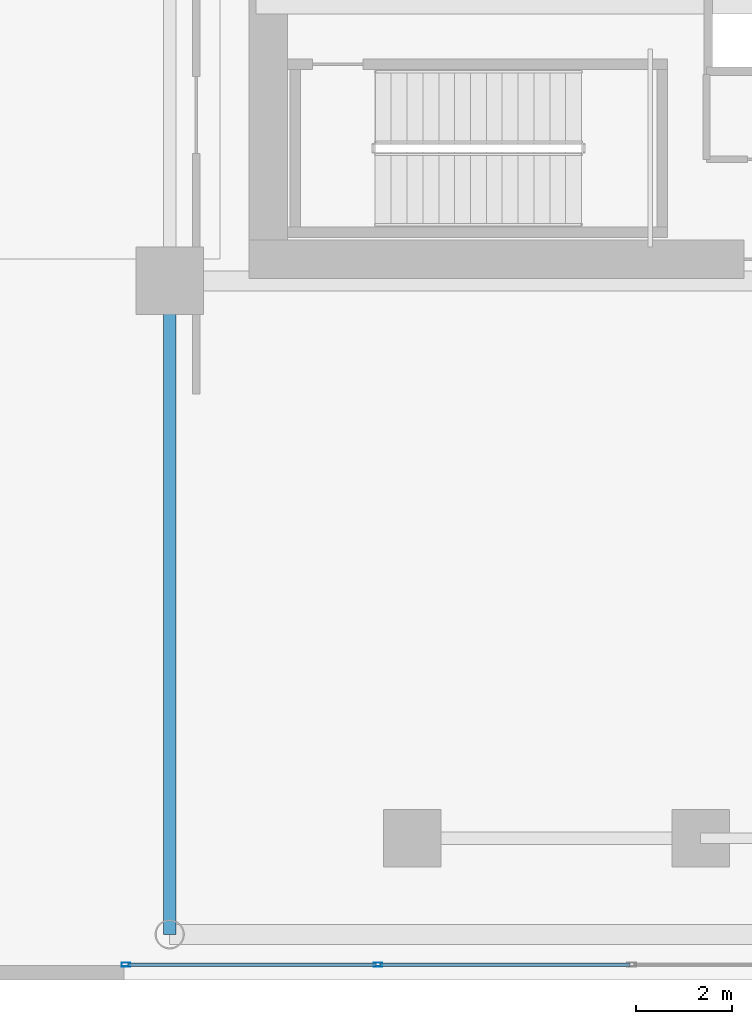
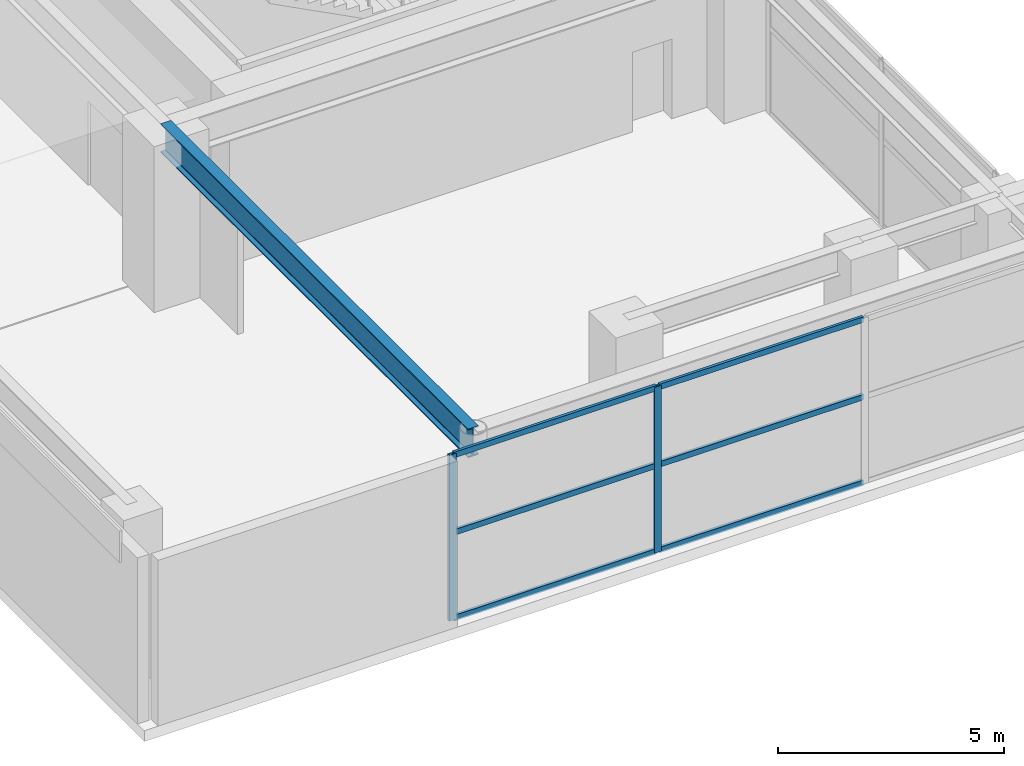
# One storey, part 3 of 30: 8 members, 1 beam, 1 element without a shape of its own.
"""IFC4 building model written with IfcOpenShell, lengths in metres."""

from ifc_helpers import new_model, si_unit, direction, frame, origin, origin_2d, place, context, subcontext, project, spatial, hollow_rectangle, i_section, extrude, source, transform, mapped, material, layer, layer_set, material_profile, profile_set, type_object, element, aggregate, save


model = new_model("IFC4")

# Units and contexts
model_context = context("Model", 3, precision=1e-05, world=origin(), true_north=direction((0.0, 1.0)))
body_context = subcontext(model_context, "Body", "Model", "MODEL_VIEW")
ifc_project = project(units=[si_unit("LENGTHUNIT", "METRE"), si_unit("AREAUNIT", "SQUARE_METRE"), si_unit("VOLUMEUNIT", "CUBIC_METRE"), si_unit("PLANEANGLEUNIT", "RADIAN"), si_unit("MASSUNIT", "GRAM", prefix="KILO")], contexts=[model_context])

# Site, building, storey
site_placement = place(None, origin())
site = spatial("IfcSite", under=ifc_project, at=site_placement, CompositionType="ELEMENT")
building_placement = place(site_placement, origin())
building = spatial("IfcBuilding", under=site, at=building_placement, Name="Ocotamira Hotel", CompositionType="ELEMENT")
storey_placement = place(building_placement, frame((0.0, 0.0, 19.199951171875)))
storey = spatial("IfcBuildingStorey", under=building, at=storey_placement, Name="L04", CompositionType="ELEMENT", Elevation=19.199951171875)

# Beam
ifc_material_1 = material(Name="Steel ASTM A992 Grade 50", Category="steel")
ifc_material_profile_1 = material_profile(ifc_material_1, i_section(OverallWidth=0.26611328125, OverallDepth=0.779052734375, WebThickness=0.0166015625, FlangeThickness=0.030029296875, FilletRadius=0.01806640625, at=origin_2d()), Name="W30X148")
ifc_profile_set_1 = profile_set([ifc_material_profile_1], Name="Steel ASTM A992 Grade 50")
beam_type = type_object("IfcBeamType", Name="BM-GIRD-W30X148", PredefinedType="BEAM", material=ifc_profile_set_1)
shared_shape_1 = source(origin(), body_context, "Body", "SweptSolid", [
    extrude(i_section(OverallWidth=0.26611328125, OverallDepth=0.779052734375, WebThickness=0.0166015625, FlangeThickness=0.030029296875, FilletRadius=0.01806640625, at=origin_2d()), origin(), (0.0, 0.0, 1.0), 13.60009765625),
])
beam_placement = place(storey_placement, frame((8.949951171875, 0.949951171875, 4.090576171875), z_axis=(0.0, 1.0, 0.0), x_axis=(-1.0, 0.0, 0.0)))
element("IfcBeam", 1, at=beam_placement, inside=storey, type_object=beam_type, Name="L04 Beam X8.95 Y0.95-14.55", PredefinedType="BEAM", context=body_context, shape_type="MappedRepresentation", body=[
    mapped(shared_shape_1, transform((0.0, 0.0, 0.0), scale=1.0)),
])

# Curtain wall, members
ifc_material_2 = material(Name="Anodised pale-metal aluminium and solar glass", Category="aluminium")
ifc_layer = layer(ifc_material_2, 0.219970703125)
ifc_layer_set = layer_set([ifc_layer], Name="Anodised pale-metal aluminium and solar glass")
curtain_wall_type = type_object("IfcCurtainWallType", Name="CW-SYS1-POD", PredefinedType="NOTDEFINED", material=ifc_layer_set)
curtain_wall_placement = place(storey_placement, origin())
curtain_wall = element("IfcCurtainWall", 2, at=curtain_wall_placement, inside=storey, type_object=curtain_wall_type, Name="L04 Curtain Wall CW-1 CW-L04-SW", PredefinedType="NOTDEFINED")
ifc_material_3 = material(Name="Anodised pale-metal aluminium 6063-T6", Category="aluminium")
ifc_material_profile_2 = material_profile(ifc_material_3, hollow_rectangle(XDim=0.074951171875, YDim=0.14990234375, WallThickness=0.006103515625, at=origin_2d()), Name="HSS150X75X6")
ifc_profile_set_2 = profile_set([ifc_material_profile_2], Name="Anodised pale-metal aluminium 6063-T6")
member_type_1 = type_object("IfcMemberType", Name="CWT-150X75", PredefinedType="USERDEFINED", material=ifc_profile_set_2)
shared_shape_2 = source(origin(), body_context, "Body", "SweptSolid", [
    extrude(hollow_rectangle(XDim=0.074951171875, YDim=0.14990234375, WallThickness=0.006103515625, at=origin_2d()), origin(), (0.0, 0.0, 1.0), 5.163330078125),
])
member_1_placement = place(storey_placement, frame((8.080078125, 0.320068359375, 0.03759765625), z_axis=(1.0, 0.0, 0.0), x_axis=(0.0, 1.0, 0.0)))
member_1 = element("IfcMember", 3, at=member_1_placement, type_object=member_type_1, Name="CW-1 transom 1.1", ObjectType="TRANSOM", PredefinedType="USERDEFINED", context=body_context, shape_type="MappedRepresentation", body=[
    mapped(shared_shape_2, transform((0.0, 0.0, 0.0), scale=1.0)),
])
member_2_placement = place(storey_placement, frame((8.080078125, 0.320068359375, 2.35009765625), z_axis=(1.0, 0.0, 0.0), x_axis=(0.0, 1.0, 0.0)))
member_2 = element("IfcMember", 4, at=member_2_placement, type_object=member_type_1, Name="CW-1 transom 1.2", ObjectType="TRANSOM", PredefinedType="USERDEFINED", context=body_context, shape_type="MappedRepresentation", body=[
    mapped(shared_shape_2, transform((0.0, 0.0, 0.0), scale=1.0)),
])
member_3_placement = place(storey_placement, frame((8.080078125, 0.320068359375, 4.442626953125), z_axis=(1.0, 0.0, 0.0), x_axis=(0.0, 1.0, 0.0)))
member_3 = element("IfcMember", 5, at=member_3_placement, type_object=member_type_1, Name="CW-1 transom 1.3", ObjectType="TRANSOM", PredefinedType="USERDEFINED", context=body_context, shape_type="MappedRepresentation", body=[
    mapped(shared_shape_2, transform((0.0, 0.0, 0.0), scale=1.0)),
])
shared_shape_3 = source(origin(), body_context, "Body", "SweptSolid", [
    extrude(hollow_rectangle(XDim=0.074951171875, YDim=0.14990234375, WallThickness=0.006103515625, at=origin_2d()), origin(), (0.0, 0.0, 1.0), 5.203369140625),
])
member_4_placement = place(storey_placement, frame((13.3232421875, 0.320068359375, 0.03759765625), z_axis=(1.0, 0.0, 0.0), x_axis=(0.0, 1.0, 0.0)))
member_4 = element("IfcMember", 6, at=member_4_placement, type_object=member_type_1, Name="CW-1 transom 2.1", ObjectType="TRANSOM", PredefinedType="USERDEFINED", context=body_context, shape_type="MappedRepresentation", body=[
    mapped(shared_shape_3, transform((0.0, 0.0, 0.0), scale=1.0)),
])
member_5_placement = place(storey_placement, frame((13.3232421875, 0.320068359375, 2.35009765625), z_axis=(1.0, 0.0, 0.0), x_axis=(0.0, 1.0, 0.0)))
member_5 = element("IfcMember", 7, at=member_5_placement, type_object=member_type_1, Name="CW-1 transom 2.2", ObjectType="TRANSOM", PredefinedType="USERDEFINED", context=body_context, shape_type="MappedRepresentation", body=[
    mapped(shared_shape_3, transform((0.0, 0.0, 0.0), scale=1.0)),
])
member_6_placement = place(storey_placement, frame((13.3232421875, 0.320068359375, 4.442626953125), z_axis=(1.0, 0.0, 0.0), x_axis=(0.0, 1.0, 0.0)))
member_6 = element("IfcMember", 8, at=member_6_placement, type_object=member_type_1, Name="CW-1 transom 2.3", ObjectType="TRANSOM", PredefinedType="USERDEFINED", context=body_context, shape_type="MappedRepresentation", body=[
    mapped(shared_shape_3, transform((0.0, 0.0, 0.0), scale=1.0)),
])
ifc_material_profile_3 = material_profile(ifc_material_3, hollow_rectangle(XDim=0.080078125, YDim=0.179931640625, WallThickness=0.006103515625, at=origin_2d()), Name="HSS180X80X6")
ifc_profile_set_3 = profile_set([ifc_material_profile_3], Name="Anodised pale-metal aluminium 6063-T6")
member_type_2 = type_object("IfcMemberType", Name="CWM-180X75", PredefinedType="MULLION", material=ifc_profile_set_3)
shared_shape_4 = source(origin(), body_context, "Body", "SweptSolid", [
    extrude(hollow_rectangle(XDim=0.080078125, YDim=0.179931640625, WallThickness=0.006103515625, at=origin_2d()), origin(), (0.0, 0.0, 1.0), 4.47998046875),
])
member_7_placement = place(storey_placement, frame((8.0400390625, 0.320068359375, 0.0), z_axis=(0.0, 0.0, 1.0), x_axis=(0.0, 1.0, 0.0)))
member_7 = element("IfcMember", 9, at=member_7_placement, type_object=member_type_2, Name="CW-1 mullion 1", PredefinedType="MULLION", context=body_context, shape_type="MappedRepresentation", body=[
    mapped(shared_shape_4, transform((0.0, 0.0, 0.0), scale=1.0)),
])
member_8_placement = place(storey_placement, frame((13.283447265625, 0.320068359375, 0.0), z_axis=(0.0, 0.0, 1.0), x_axis=(0.0, 1.0, 0.0)))
member_8 = element("IfcMember", 10, at=member_8_placement, type_object=member_type_2, Name="CW-1 mullion 2", PredefinedType="MULLION", context=body_context, shape_type="MappedRepresentation", body=[
    mapped(shared_shape_4, transform((0.0, 0.0, 0.0), scale=1.0)),
])
aggregate(curtain_wall, [member_7, member_8, member_1, member_2, member_3, member_4, member_5, member_6])

save(model, "model.ifc")
